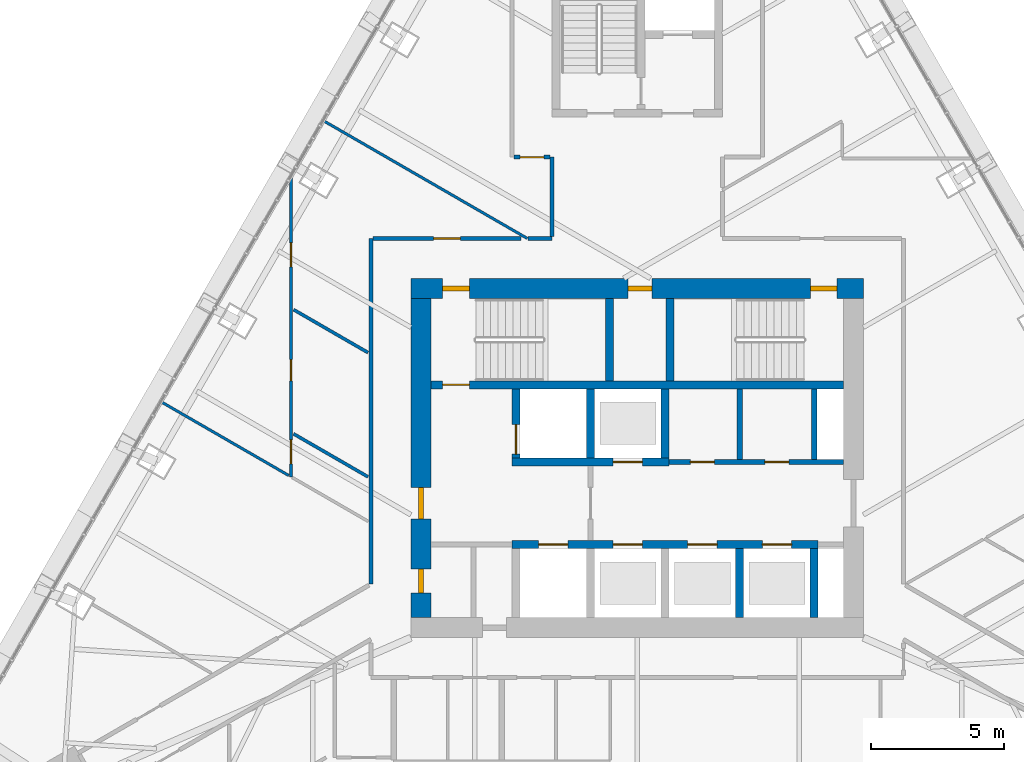
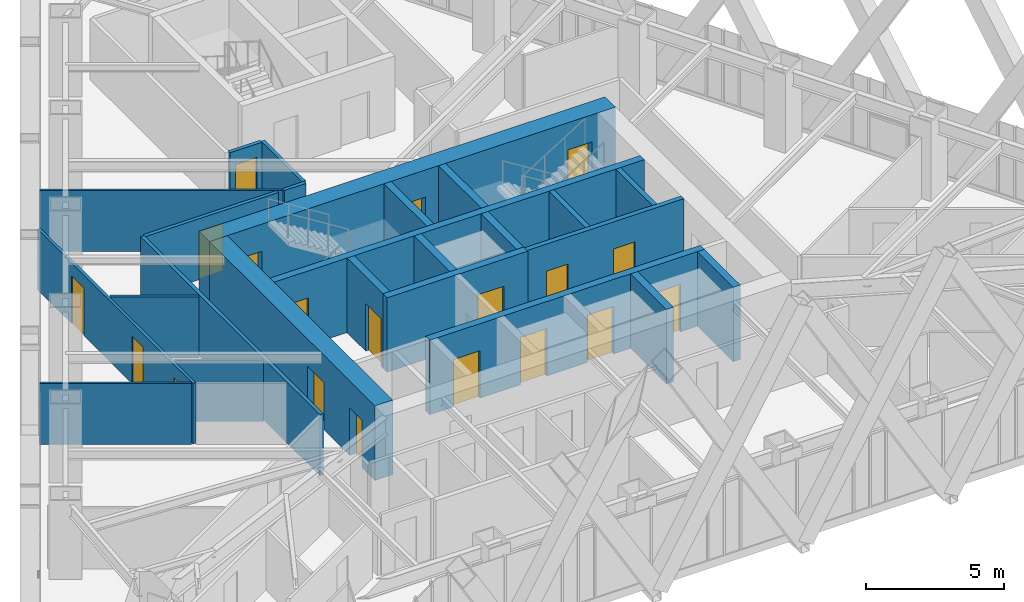
# One storey, part 19 of 23: 25 walls, 19 doors, 19 openings.
"""IFC4 building model written with IfcOpenShell, lengths in metres."""

from ifc_helpers import new_model, si_unit, direction, frame, frame_2d, origin, place, context, subcontext, project, spatial, rectangle, extrude, material, layer, layer_set, type_object, element, fill, save


model = new_model("IFC4")

# Units and contexts
model_context = context("Model", 3, precision=1e-05, world=origin(), true_north=direction((0.0, 1.0)))
body_context = subcontext(model_context, "Body", "Model", "MODEL_VIEW")
ifc_project = project(units=[si_unit("LENGTHUNIT", "METRE"), si_unit("AREAUNIT", "SQUARE_METRE"), si_unit("VOLUMEUNIT", "CUBIC_METRE"), si_unit("PLANEANGLEUNIT", "RADIAN"), si_unit("MASSUNIT", "GRAM", prefix="KILO")], contexts=[model_context])

# Site, building, storey
site_placement = place(None, origin())
site = spatial("IfcSite", under=ifc_project, at=site_placement, CompositionType="ELEMENT")
building_placement = place(site_placement, origin())
building = spatial("IfcBuilding", under=site, at=building_placement, Name="Firuza Gate Tower and Library", CompositionType="ELEMENT")
storey_placement = place(building_placement, frame((0.0, 0.0, 302.10009765625)))
storey = spatial("IfcBuildingStorey", under=building, at=storey_placement, Name="L73", CompositionType="ELEMENT", Elevation=302.10009765625)

# Wall, openings, doors
ifc_material_1 = material(Name="Plasterboard on steel studs", Category="steel")
ifc_layer_1 = layer(ifc_material_1, 0.199951171875)
ifc_layer_set_1 = layer_set([ifc_layer_1], Name="Core partition 200 EI 120")
wall_type_1 = type_object("IfcWallType", Name="Core partition 200 EI 120", PredefinedType="PARTITIONING", material=ifc_layer_set_1)
wall_1_placement = place(storey_placement, frame((76.199951171875, 74.85009765625, 0.0), z_axis=(0.0, 0.0, 1.0), x_axis=(1.0, 0.0, 0.0)))
wall_1 = element("IfcWall", 1, at=wall_1_placement, inside=storey, type_object=wall_type_1, Name="Core partition L73 3", PredefinedType="PARTITIONING", context=body_context, shape_type="SweptSolid", body=[
    extrude(rectangle(XDim=6.550048828125, YDim=0.199951171875, at=frame_2d((3.27490234375, 0.0))), origin(), (0.0, 0.0, 1.0), 3.2998046875),
])
opening_1_placement = place(wall_1_placement, frame((0.800048828125, 0.0, 0.0)))
opening_1 = element("IfcOpeningElement", 2, at=opening_1_placement, cuts=wall_1, Name="Opening L73-K19", PredefinedType="OPENING", context=body_context, shape_type="SweptSolid", body=[
    extrude(rectangle(XDim=0.89990234375, YDim=2.10009765625, at=frame_2d((0.449951171875, 1.050048828125))), frame((0.0, 0.10986328125, 0.0), z_axis=(0.0, -1.0, 0.0), x_axis=(1.0, 0.0, 0.0)), (0.0, 0.0, 1.0), 0.219970703125),
])
opening_2_placement = place(wall_1_placement, frame((3.60009765625, 0.0, 0.0)))
opening_2 = element("IfcOpeningElement", 3, at=opening_2_placement, cuts=wall_1, Name="Opening L73-K20", PredefinedType="OPENING", context=body_context, shape_type="SweptSolid", body=[
    extrude(rectangle(XDim=0.89990234375, YDim=2.10009765625, at=frame_2d((0.449951171875, 1.050048828125))), frame((0.0, 0.10986328125, 0.0), z_axis=(0.0, -1.0, 0.0), x_axis=(1.0, 0.0, 0.0)), (0.0, 0.0, 1.0), 0.219970703125),
])
ifc_material_2 = material(Name="Steel", Category="steel")
door_type_1 = type_object("IfcDoorType", Name="Fire door 900x2100 FD30S", OperationType="NOTDEFINED", PredefinedType="DOOR", material=ifc_material_2)
door_1_placement = place(opening_1_placement, origin())
door_1 = element("IfcDoor", 4, at=door_1_placement, inside=storey, type_object=door_type_1, Name="Door L73-K19", OperationType="SINGLE_SWING_RIGHT", OverallHeight=2.10009765625, OverallWidth=0.89990234375, PredefinedType="DOOR", context=body_context, shape_type="SweptSolid", body=[
    extrude(rectangle(XDim=0.89990234375, YDim=2.10009765625, at=frame_2d((0.449951171875, 1.050048828125))), frame((0.0, 0.02490234375, 0.0), z_axis=(0.0, -1.0, 0.0), x_axis=(1.0, 0.0, 0.0)), (0.0, 0.0, 1.0), 0.050048828125),
])
fill(opening_1, door_1)
door_2_placement = place(opening_2_placement, origin())
door_2 = element("IfcDoor", 5, at=door_2_placement, inside=storey, type_object=door_type_1, Name="Door L73-K20", OperationType="SINGLE_SWING_LEFT", OverallHeight=2.10009765625, OverallWidth=0.89990234375, PredefinedType="DOOR", context=body_context, shape_type="SweptSolid", body=[
    extrude(rectangle(XDim=0.89990234375, YDim=2.10009765625, at=frame_2d((0.449951171875, 1.050048828125))), frame((0.0, 0.02490234375, 0.0), z_axis=(0.0, -1.0, 0.0), x_axis=(1.0, 0.0, 0.0)), (0.0, 0.0, 1.0), 0.050048828125),
])
fill(opening_2, door_2)

# Walls
for number, where, z_axis, x_axis, name in (
    (6, (78.85009765625, 74.949951171875, 0.0), (0.0, 0.0, 1.0), (0.0, 1.0, 0.0), "Core partition L73 6"),
    (7, (81.64990234375, 74.949951171875, 0.0), (0.0, 0.0, 1.0), (0.0, 1.0, 0.0), "Core partition L73 7"),
):
    element("IfcWall", number, at=place(storey_placement, frame(where, z_axis=z_axis, x_axis=x_axis)), inside=storey, type_object=wall_type_1, Name=name, PredefinedType="PARTITIONING", context=body_context, shape_type="SweptSolid", body=[
        extrude(rectangle(XDim=2.650146484375, YDim=0.199951171875, at=frame_2d((1.3251953125, 0.0))), origin(), (0.0, 0.0, 1.0), 3.2998046875),
    ])

# Wall, openings, doors
ifc_material_3 = material(Name="Concrete C60/75", Category="concrete")
ifc_layer_2 = layer(ifc_material_3, 0.300048828125)
ifc_layer_set_2 = layer_set([ifc_layer_2], Name="Core wall 300 C60/75")
wall_type_2 = type_object("IfcWallType", Name="Core wall 300 C60/75", PredefinedType="SHEAR", material=ifc_layer_set_2)
wall_2_placement = place(storey_placement, frame((70.300048828125, 71.75, 0.0), z_axis=(0.0, 0.0, 1.0), x_axis=(1.0, 0.0, 0.0)))
wall_2 = element("IfcWall", 8, at=wall_2_placement, inside=storey, type_object=wall_type_2, Name="Core wall L73 5", PredefinedType="SHEAR", context=body_context, shape_type="SweptSolid", body=[
    extrude(rectangle(XDim=11.5, YDim=0.300048828125, at=frame_2d((5.75, 0.0))), origin(), (0.0, 0.0, 1.0), 3.2998046875),
])
opening_3_placement = place(wall_2_placement, frame((1.0, 0.0, 0.0)))
opening_3 = element("IfcOpeningElement", 9, at=opening_3_placement, cuts=wall_2, Name="Opening LD-FF1-L73", PredefinedType="OPENING", context=body_context, shape_type="SweptSolid", body=[
    extrude(rectangle(XDim=1.10009765625, YDim=2.10009765625, at=frame_2d((0.550048828125, 1.050048828125))), frame((0.0, 0.16015625, 0.0), z_axis=(0.0, -1.0, 0.0), x_axis=(1.0, 0.0, 0.0)), (0.0, 0.0, 1.0), 0.320068359375),
])
opening_4_placement = place(wall_2_placement, frame((3.800048828125, 0.0, 0.0)))
opening_4 = element("IfcOpeningElement", 10, at=opening_4_placement, cuts=wall_2, Name="Opening LD-HR1-L73", PredefinedType="OPENING", context=body_context, shape_type="SweptSolid", body=[
    extrude(rectangle(XDim=1.10009765625, YDim=2.10009765625, at=frame_2d((0.550048828125, 1.050048828125))), frame((0.0, 0.16015625, 0.0), z_axis=(0.0, -1.0, 0.0), x_axis=(1.0, 0.0, 0.0)), (0.0, 0.0, 1.0), 0.320068359375),
])
opening_5_placement = place(wall_2_placement, frame((6.60009765625, 0.0, 0.0)))
opening_5 = element("IfcOpeningElement", 11, at=opening_5_placement, cuts=wall_2, Name="Opening LD-HR2-L73", PredefinedType="OPENING", context=body_context, shape_type="SweptSolid", body=[
    extrude(rectangle(XDim=1.10009765625, YDim=2.10009765625, at=frame_2d((0.550048828125, 1.050048828125))), frame((0.0, 0.16015625, 0.0), z_axis=(0.0, -1.0, 0.0), x_axis=(1.0, 0.0, 0.0)), (0.0, 0.0, 1.0), 0.320068359375),
])
opening_6_placement = place(wall_2_placement, frame((9.39990234375, 0.0, 0.0)))
opening_6 = element("IfcOpeningElement", 12, at=opening_6_placement, cuts=wall_2, Name="Opening LD-HR3-L73", PredefinedType="OPENING", context=body_context, shape_type="SweptSolid", body=[
    extrude(rectangle(XDim=1.10009765625, YDim=2.10009765625, at=frame_2d((0.550048828125, 1.050048828125))), frame((0.0, 0.16015625, 0.0), z_axis=(0.0, -1.0, 0.0), x_axis=(1.0, 0.0, 0.0)), (0.0, 0.0, 1.0), 0.320068359375),
])
ifc_material_4 = material(Name="Stainless steel", Category="steel")
door_type_2 = type_object("IfcDoorType", Name="Lift landing door 1100x2100", OperationType="DOUBLE_DOOR_SLIDING", PredefinedType="DOOR", material=ifc_material_4)
door_3_placement = place(opening_3_placement, origin())
door_3 = element("IfcDoor", 13, at=door_3_placement, inside=storey, type_object=door_type_2, Name="Landing door FF1 L73", OperationType="DOUBLE_DOOR_SLIDING", OverallHeight=2.10009765625, OverallWidth=1.10009765625, PredefinedType="DOOR", context=body_context, shape_type="SweptSolid", body=[
    extrude(rectangle(XDim=1.10009765625, YDim=2.10009765625, at=frame_2d((0.550048828125, 1.050048828125))), frame((0.0, 0.02490234375, 0.0), z_axis=(0.0, -1.0, 0.0), x_axis=(1.0, 0.0, 0.0)), (0.0, 0.0, 1.0), 0.050048828125),
])
fill(opening_3, door_3)
door_4_placement = place(opening_4_placement, origin())
door_4 = element("IfcDoor", 14, at=door_4_placement, inside=storey, type_object=door_type_2, Name="Landing door HR1 L73", OperationType="DOUBLE_DOOR_SLIDING", OverallHeight=2.10009765625, OverallWidth=1.10009765625, PredefinedType="DOOR", context=body_context, shape_type="SweptSolid", body=[
    extrude(rectangle(XDim=1.10009765625, YDim=2.10009765625, at=frame_2d((0.550048828125, 1.050048828125))), frame((0.0, 0.02490234375, 0.0), z_axis=(0.0, -1.0, 0.0), x_axis=(1.0, 0.0, 0.0)), (0.0, 0.0, 1.0), 0.050048828125),
])
fill(opening_4, door_4)
door_5_placement = place(opening_5_placement, origin())
door_5 = element("IfcDoor", 15, at=door_5_placement, inside=storey, type_object=door_type_2, Name="Landing door HR2 L73", OperationType="DOUBLE_DOOR_SLIDING", OverallHeight=2.10009765625, OverallWidth=1.10009765625, PredefinedType="DOOR", context=body_context, shape_type="SweptSolid", body=[
    extrude(rectangle(XDim=1.10009765625, YDim=2.10009765625, at=frame_2d((0.550048828125, 1.050048828125))), frame((0.0, 0.02490234375, 0.0), z_axis=(0.0, -1.0, 0.0), x_axis=(1.0, 0.0, 0.0)), (0.0, 0.0, 1.0), 0.050048828125),
])
fill(opening_5, door_5)
door_6_placement = place(opening_6_placement, origin())
door_6 = element("IfcDoor", 16, at=door_6_placement, inside=storey, type_object=door_type_2, Name="Landing door HR3 L73", OperationType="DOUBLE_DOOR_SLIDING", OverallHeight=2.10009765625, OverallWidth=1.10009765625, PredefinedType="DOOR", context=body_context, shape_type="SweptSolid", body=[
    extrude(rectangle(XDim=1.10009765625, YDim=2.10009765625, at=frame_2d((0.550048828125, 1.050048828125))), frame((0.0, 0.02490234375, 0.0), z_axis=(0.0, -1.0, 0.0), x_axis=(1.0, 0.0, 0.0)), (0.0, 0.0, 1.0), 0.050048828125),
])
fill(opening_6, door_6)

# Wall, opening, door
wall_3_placement = place(storey_placement, frame((70.300048828125, 74.85009765625, 0.0), z_axis=(0.0, 0.0, 1.0), x_axis=(1.0, 0.0, 0.0)))
wall_3 = element("IfcWall", 17, at=wall_3_placement, inside=storey, type_object=wall_type_2, Name="Core wall L73 6", PredefinedType="SHEAR", context=body_context, shape_type="SweptSolid", body=[
    extrude(rectangle(XDim=5.89990234375, YDim=0.300048828125, at=frame_2d((2.949951171875, 0.0))), origin(), (0.0, 0.0, 1.0), 3.2998046875),
])
opening_7_placement = place(wall_3_placement, frame((3.800048828125, 0.0, 0.0)))
opening_7 = element("IfcOpeningElement", 18, at=opening_7_placement, cuts=wall_3, Name="Opening LD-HR4-L73", PredefinedType="OPENING", context=body_context, shape_type="SweptSolid", body=[
    extrude(rectangle(XDim=1.10009765625, YDim=2.10009765625, at=frame_2d((0.550048828125, 1.050048828125))), frame((0.0, 0.16015625, 0.0), z_axis=(0.0, -1.0, 0.0), x_axis=(1.0, 0.0, 0.0)), (0.0, 0.0, 1.0), 0.320068359375),
])
door_7_placement = place(opening_7_placement, origin())
door_7 = element("IfcDoor", 19, at=door_7_placement, inside=storey, type_object=door_type_2, Name="Landing door HR4 L73", OperationType="DOUBLE_DOOR_SLIDING", OverallHeight=2.10009765625, OverallWidth=1.10009765625, PredefinedType="DOOR", context=body_context, shape_type="SweptSolid", body=[
    extrude(rectangle(XDim=1.10009765625, YDim=2.10009765625, at=frame_2d((0.550048828125, 1.050048828125))), frame((0.0, 0.02490234375, 0.0), z_axis=(0.0, -1.0, 0.0), x_axis=(1.0, 0.0, 0.0)), (0.0, 0.0, 1.0), 0.050048828125),
])
fill(opening_7, door_7)

wall_4_placement = place(storey_placement, frame((70.449951171875, 75.0, 0.0), z_axis=(0.0, 0.0, 1.0), x_axis=(0.0, 1.0, 0.0)))
wall_4 = element("IfcWall", 20, at=wall_4_placement, inside=storey, type_object=wall_type_2, Name="Core wall L73 8", PredefinedType="SHEAR", context=body_context, shape_type="SweptSolid", body=[
    extrude(rectangle(XDim=2.60009765625, YDim=0.300048828125, at=frame_2d((1.300048828125, 0.0))), origin(), (0.0, 0.0, 1.0), 3.2998046875),
])
opening_8_placement = place(wall_4_placement, frame((0.14990234375, 0.0, 0.0)))
opening_8 = element("IfcOpeningElement", 21, at=opening_8_placement, cuts=wall_4, Name="Opening LD-FF2-L73", PredefinedType="OPENING", context=body_context, shape_type="SweptSolid", body=[
    extrude(rectangle(XDim=1.10009765625, YDim=2.10009765625, at=frame_2d((0.550048828125, 1.050048828125))), frame((0.0, 0.16015625, 0.0), z_axis=(0.0, -1.0, 0.0), x_axis=(1.0, 0.0, 0.0)), (0.0, 0.0, 1.0), 0.320068359375),
])
door_8_placement = place(opening_8_placement, origin())
door_8 = element("IfcDoor", 22, at=door_8_placement, inside=storey, type_object=door_type_2, Name="Landing door FF2 L73", OperationType="DOUBLE_DOOR_SLIDING", OverallHeight=2.10009765625, OverallWidth=1.10009765625, PredefinedType="DOOR", context=body_context, shape_type="SweptSolid", body=[
    extrude(rectangle(XDim=1.10009765625, YDim=2.10009765625, at=frame_2d((0.550048828125, 1.050048828125))), frame((0.0, 0.02490234375, 0.0), z_axis=(0.0, -1.0, 0.0), x_axis=(1.0, 0.0, 0.0)), (0.0, 0.0, 1.0), 0.050048828125),
])
fill(opening_8, door_8)

# Walls
for number, where, z_axis, x_axis, name in (
    (23, (73.25, 75.0, 0.0), (0.0, 0.0, 1.0), (0.0, 1.0, 0.0), "Core wall L73 10"),
    (24, (76.050048828125, 75.0, 0.0), (0.0, 0.0, 1.0), (0.0, 1.0, 0.0), "Core wall L73 12"),
    (25, (78.85009765625, 69.0, 0.0), (0.0, 0.0, 1.0), (0.0, 1.0, 0.0), "Core wall L73 13"),
    (26, (81.64990234375, 69.0, 0.0), (0.0, 0.0, 1.0), (0.0, 1.0, 0.0), "Core wall L73 14"),
):
    element("IfcWall", number, at=place(storey_placement, frame(where, z_axis=z_axis, x_axis=x_axis)), inside=storey, type_object=wall_type_2, Name=name, PredefinedType="SHEAR", context=body_context, shape_type="SweptSolid", body=[
        extrude(rectangle(XDim=2.60009765625, YDim=0.300048828125, at=frame_2d((1.300048828125, 0.0))), origin(), (0.0, 0.0, 1.0), 3.2998046875),
    ])

# Wall, opening, door
wall_5_placement = place(storey_placement, frame((67.25, 77.75, 0.0), z_axis=(0.0, 0.0, 1.0), x_axis=(1.0, 0.0, 0.0)))
wall_5 = element("IfcWall", 27, at=wall_5_placement, inside=storey, type_object=wall_type_2, Name="Core wall L73 15", PredefinedType="SHEAR", context=body_context, shape_type="SweptSolid", body=[
    extrude(rectangle(XDim=15.5, YDim=0.300048828125, at=frame_2d((7.75, 0.0))), origin(), (0.0, 0.0, 1.0), 3.2998046875),
])
opening_9_placement = place(wall_5_placement, frame((0.445068359375, 0.0, 0.0)))
opening_9 = element("IfcOpeningElement", 28, at=opening_9_placement, cuts=wall_5, Name="Opening L73-K08", PredefinedType="OPENING", context=body_context, shape_type="SweptSolid", body=[
    extrude(rectangle(XDim=1.0, YDim=2.10009765625, at=frame_2d((0.5, 1.050048828125))), frame((0.0, 0.16015625, 0.0), z_axis=(0.0, -1.0, 0.0), x_axis=(1.0, 0.0, 0.0)), (0.0, 0.0, 1.0), 0.320068359375),
])
ifc_material_5 = material(Name="Steel", Category="steel")
door_type_3 = type_object("IfcDoorType", Name="Fire door 1000x2100 FD90", OperationType="NOTDEFINED", PredefinedType="DOOR", material=ifc_material_5)
door_9_placement = place(opening_9_placement, origin())
door_9 = element("IfcDoor", 29, at=door_9_placement, inside=storey, type_object=door_type_3, Name="Door L73-K08", OperationType="SINGLE_SWING_LEFT", OverallHeight=2.10009765625, OverallWidth=1.0, PredefinedType="DOOR", context=body_context, shape_type="SweptSolid", body=[
    extrude(rectangle(XDim=1.0, YDim=2.10009765625, at=frame_2d((0.5, 1.050048828125))), frame((0.0, 0.02490234375, 0.0), z_axis=(0.0, -1.0, 0.0), x_axis=(1.0, 0.0, 0.0)), (0.0, 0.0, 1.0), 0.050048828125),
])
fill(opening_9, door_9)

# Walls
for number, where, z_axis, x_axis, name in (
    (30, (73.9599609375, 77.89990234375, 0.0), (0.0, 0.0, 1.0), (0.0, 1.0, 0.0), "Core wall L73 16"),
    (31, (76.239990234375, 77.89990234375, 0.0), (0.0, 0.0, 1.0), (0.0, 1.0, 0.0), "Core wall L73 17"),
):
    element("IfcWall", number, at=place(storey_placement, frame(where, z_axis=z_axis, x_axis=x_axis)), inside=storey, type_object=wall_type_2, Name=name, PredefinedType="SHEAR", context=body_context, shape_type="SweptSolid", body=[
        extrude(rectangle(XDim=3.10009765625, YDim=0.300048828125, at=frame_2d((1.550048828125, 0.0))), origin(), (0.0, 0.0, 1.0), 3.2998046875),
    ])

# Wall, openings, doors
ifc_material_6 = material(Name="Concrete C60/75", Category="concrete")
ifc_layer_3 = layer(ifc_material_6, 0.75)
ifc_layer_set_3 = layer_set([ifc_layer_3], Name="Core wall 750 C60/75")
wall_type_3 = type_object("IfcWallType", Name="Core wall 750 C60/75", PredefinedType="SHEAR", material=ifc_layer_set_3)
wall_6_placement = place(storey_placement, frame((66.5, 81.375, 0.0), z_axis=(0.0, 0.0, 1.0), x_axis=(1.0, 0.0, 0.0)))
wall_6 = element("IfcWall", 32, at=wall_6_placement, inside=storey, type_object=wall_type_3, Name="Core wall L73 2", PredefinedType="SHEAR", context=body_context, shape_type="SweptSolid", body=[
    extrude(rectangle(XDim=17.0, YDim=0.75, at=frame_2d((8.5, 0.0))), origin(), (0.0, 0.0, 1.0), 3.2998046875),
])
opening_10_placement = place(wall_6_placement, frame((1.195068359375, 0.0, 0.0)))
opening_10 = element("IfcOpeningElement", 33, at=opening_10_placement, cuts=wall_6, Name="Opening L73-K09", PredefinedType="OPENING", context=body_context, shape_type="SweptSolid", body=[
    extrude(rectangle(XDim=1.0, YDim=2.10009765625, at=frame_2d((0.5, 1.050048828125))), frame((0.0, 0.385009765625, 0.0), z_axis=(0.0, -1.0, 0.0), x_axis=(1.0, 0.0, 0.0)), (0.0, 0.0, 1.0), 0.77001953125),
])
opening_11_placement = place(wall_6_placement, frame((15.0048828125, 0.0, 0.0)))
opening_11 = element("IfcOpeningElement", 34, at=opening_11_placement, cuts=wall_6, Name="Opening L73-K10", PredefinedType="OPENING", context=body_context, shape_type="SweptSolid", body=[
    extrude(rectangle(XDim=1.0, YDim=2.10009765625, at=frame_2d((0.5, 1.050048828125))), frame((0.0, 0.385009765625, 0.0), z_axis=(0.0, -1.0, 0.0), x_axis=(1.0, 0.0, 0.0)), (0.0, 0.0, 1.0), 0.77001953125),
])
opening_12_placement = place(wall_6_placement, frame((8.14990234375, 0.0, 0.0)))
opening_12 = element("IfcOpeningElement", 35, at=opening_12_placement, cuts=wall_6, Name="Opening L73-K21", PredefinedType="OPENING", context=body_context, shape_type="SweptSolid", body=[
    extrude(rectangle(XDim=0.89990234375, YDim=2.10009765625, at=frame_2d((0.449951171875, 1.050048828125))), frame((0.0, 0.385009765625, 0.0), z_axis=(0.0, -1.0, 0.0), x_axis=(1.0, 0.0, 0.0)), (0.0, 0.0, 1.0), 0.77001953125),
])
door_10_placement = place(opening_10_placement, origin())
door_10 = element("IfcDoor", 36, at=door_10_placement, inside=storey, type_object=door_type_3, Name="Door L73-K09", OperationType="SINGLE_SWING_RIGHT", OverallHeight=2.10009765625, OverallWidth=1.0, PredefinedType="DOOR", context=body_context, shape_type="SweptSolid", body=[
    extrude(rectangle(XDim=1.0, YDim=2.10009765625, at=frame_2d((0.5, 1.050048828125))), frame((0.0, 0.094970703125, 0.0), z_axis=(0.0, -1.0, 0.0), x_axis=(1.0, 0.0, 0.0)), (0.0, 0.0, 1.0), 0.18994140625),
])
fill(opening_10, door_10)
door_11_placement = place(opening_11_placement, origin())
door_11 = element("IfcDoor", 37, at=door_11_placement, inside=storey, type_object=door_type_3, Name="Door L73-K10", OperationType="SINGLE_SWING_LEFT", OverallHeight=2.10009765625, OverallWidth=1.0, PredefinedType="DOOR", context=body_context, shape_type="SweptSolid", body=[
    extrude(rectangle(XDim=1.0, YDim=2.10009765625, at=frame_2d((0.5, 1.050048828125))), frame((0.0, 0.094970703125, 0.0), z_axis=(0.0, -1.0, 0.0), x_axis=(1.0, 0.0, 0.0)), (0.0, 0.0, 1.0), 0.18994140625),
])
fill(opening_11, door_11)
door_12_placement = place(opening_12_placement, origin())
door_12 = element("IfcDoor", 38, at=door_12_placement, inside=storey, type_object=door_type_1, Name="Door L73-K21", OperationType="SINGLE_SWING_RIGHT", OverallHeight=2.10009765625, OverallWidth=0.89990234375, PredefinedType="DOOR", context=body_context, shape_type="SweptSolid", body=[
    extrude(rectangle(XDim=0.89990234375, YDim=2.10009765625, at=frame_2d((0.449951171875, 1.050048828125))), frame((0.0, 0.094970703125, 0.0), z_axis=(0.0, -1.0, 0.0), x_axis=(1.0, 0.0, 0.0)), (0.0, 0.0, 1.0), 0.18994140625),
])
fill(opening_12, door_12)

wall_7_placement = place(storey_placement, frame((66.875, 69.0, 0.0), z_axis=(0.0, 0.0, 1.0), x_axis=(0.0, 1.0, 0.0)))
wall_7 = element("IfcWall", 39, at=wall_7_placement, inside=storey, type_object=wall_type_3, Name="Core wall L73 3", PredefinedType="SHEAR", context=body_context, shape_type="SweptSolid", body=[
    extrude(rectangle(XDim=12.0, YDim=0.75, at=frame_2d((6.0, 0.0))), origin(), (0.0, 0.0, 1.0), 3.2998046875),
])
opening_13_placement = place(wall_7_placement, frame((3.699951171875, 0.0, 0.0)))
opening_13 = element("IfcOpeningElement", 40, at=opening_13_placement, cuts=wall_7, Name="Opening L73-K15", PredefinedType="OPENING", context=body_context, shape_type="SweptSolid", body=[
    extrude(rectangle(XDim=1.199951171875, YDim=2.10009765625, at=frame_2d((0.60009765625, 1.050048828125))), frame((0.0, 0.385009765625, 0.0), z_axis=(0.0, -1.0, 0.0), x_axis=(1.0, 0.0, 0.0)), (0.0, 0.0, 1.0), 0.77001953125),
])
opening_14_placement = place(wall_7_placement, frame((0.925048828125, 0.0, 0.0)))
opening_14 = element("IfcOpeningElement", 41, at=opening_14_placement, cuts=wall_7, Name="Opening L73-K17", PredefinedType="OPENING", context=body_context, shape_type="SweptSolid", body=[
    extrude(rectangle(XDim=0.89990234375, YDim=2.10009765625, at=frame_2d((0.449951171875, 1.050048828125))), frame((0.0, 0.385009765625, 0.0), z_axis=(0.0, -1.0, 0.0), x_axis=(1.0, 0.0, 0.0)), (0.0, 0.0, 1.0), 0.77001953125),
])
ifc_material_7 = material(Name="Steel", Category="steel")
door_type_4 = type_object("IfcDoorType", Name="Fire door 1200x2100 FD90S", OperationType="NOTDEFINED", PredefinedType="DOOR", material=ifc_material_7)
door_13_placement = place(opening_13_placement, origin())
door_13 = element("IfcDoor", 42, at=door_13_placement, inside=storey, type_object=door_type_4, Name="Door L73-K15", OperationType="SINGLE_SWING_RIGHT", OverallHeight=2.10009765625, OverallWidth=1.199951171875, PredefinedType="DOOR", context=body_context, shape_type="SweptSolid", body=[
    extrude(rectangle(XDim=1.199951171875, YDim=2.10009765625, at=frame_2d((0.60009765625, 1.050048828125))), frame((0.0, 0.094970703125, 0.0), z_axis=(0.0, -1.0, 0.0), x_axis=(1.0, 0.0, 0.0)), (0.0, 0.0, 1.0), 0.18994140625),
])
fill(opening_13, door_13)
door_14_placement = place(opening_14_placement, origin())
door_14 = element("IfcDoor", 43, at=door_14_placement, inside=storey, type_object=door_type_1, Name="Door L73-K17", OperationType="SINGLE_SWING_RIGHT", OverallHeight=2.10009765625, OverallWidth=0.89990234375, PredefinedType="DOOR", context=body_context, shape_type="SweptSolid", body=[
    extrude(rectangle(XDim=0.89990234375, YDim=2.10009765625, at=frame_2d((0.449951171875, 1.050048828125))), frame((0.0, 0.094970703125, 0.0), z_axis=(0.0, -1.0, 0.0), x_axis=(1.0, 0.0, 0.0)), (0.0, 0.0, 1.0), 0.18994140625),
])
fill(opening_14, door_14)

# Wall, opening, door
ifc_material_8 = material(Name="Gypsum board partition")
ifc_layer_4 = layer(ifc_material_8, 0.14990234375)
ifc_layer_set_4 = layer_set([ifc_layer_4], Name="Corridor wall 150 double board on steel studs")
wall_type_4 = type_object("IfcWallType", Name="Corridor wall 150 double board on steel studs", PredefinedType="PARTITIONING", material=ifc_layer_set_4)
wall_8_placement = place(storey_placement, frame((65.075439453125, 83.25, 0.0), z_axis=(0.0, 0.0, 1.0), x_axis=(1.0, 0.0, 0.0)))
wall_8 = element("IfcWall", 44, at=wall_8_placement, inside=storey, type_object=wall_type_4, Name="f:L73:w005", PredefinedType="PARTITIONING", context=body_context, shape_type="SweptSolid", body=[
    extrude(rectangle(XDim=5.5654296875, YDim=0.14990234375, at=frame_2d((2.78271484375, 0.0))), origin(), (0.0, 0.0, 1.0), 2.699951171875),
])
opening_15_placement = place(wall_8_placement, frame((2.28271484375, 0.0, 0.0)))
opening_15 = element("IfcOpeningElement", 45, at=opening_15_placement, cuts=wall_8, Name="Opening L73-08", PredefinedType="OPENING", context=body_context, shape_type="SweptSolid", body=[
    extrude(rectangle(XDim=1.0, YDim=2.10009765625, at=frame_2d((0.5, 1.050048828125))), frame((0.0, 0.0849609375, 0.0), z_axis=(0.0, -1.0, 0.0), x_axis=(1.0, 0.0, 0.0)), (0.0, 0.0, 1.0), 0.169921875),
])
ifc_material_9 = material(Name="Steel door and timber leaf", Category="steel")
door_type_5 = type_object("IfcDoorType", Name="Fire door 1000 x 2100 steel frame, timber leaf", OperationType="NOTDEFINED", PredefinedType="DOOR", material=ifc_material_9)
door_15_placement = place(opening_15_placement, origin())
door_15 = element("IfcDoor", 46, at=door_15_placement, inside=storey, type_object=door_type_5, Name="f:L73:d008", OperationType="SINGLE_SWING_RIGHT", OverallHeight=2.10009765625, OverallWidth=1.0, PredefinedType="DOOR", context=body_context, shape_type="SweptSolid", body=[
    extrude(rectangle(XDim=1.0, YDim=2.10009765625, at=frame_2d((0.5, 1.050048828125))), frame((0.0, 0.02490234375, 0.0), z_axis=(0.0, -1.0, 0.0), x_axis=(1.0, 0.0, 0.0)), (0.0, 0.0, 1.0), 0.050048828125),
])
fill(opening_15, door_15)

wall_9_placement = place(storey_placement, frame((70.376953125, 86.300048828125, 0.0), z_axis=(0.0, 0.0, 1.0), x_axis=(1.0, 0.0, 0.0)))
wall_9 = element("IfcWall", 47, at=wall_9_placement, inside=storey, type_object=wall_type_4, Name="f:L73:w008", PredefinedType="PARTITIONING", context=body_context, shape_type="SweptSolid", body=[
    extrude(rectangle(XDim=1.347900390625, YDim=0.14990234375, at=frame_2d((0.673828125, 0.0))), origin(), (0.0, 0.0, 1.0), 2.699951171875),
])
opening_16_placement = place(wall_9_placement, frame((0.223876953125, 0.0, 0.0)))
opening_16 = element("IfcOpeningElement", 48, at=opening_16_placement, cuts=wall_9, Name="Opening L73-10", PredefinedType="OPENING", context=body_context, shape_type="SweptSolid", body=[
    extrude(rectangle(XDim=0.89990234375, YDim=2.10009765625, at=frame_2d((0.449951171875, 1.050048828125))), frame((0.0, 0.0849609375, 0.0), z_axis=(0.0, -1.0, 0.0), x_axis=(1.0, 0.0, 0.0)), (0.0, 0.0, 1.0), 0.169921875),
])
ifc_material_10 = material(Name="Steel door and timber leaf", Category="steel")
door_type_6 = type_object("IfcDoorType", Name="Fire door 900 x 2100 steel frame, timber leaf", OperationType="NOTDEFINED", PredefinedType="DOOR", material=ifc_material_10)
door_16_placement = place(opening_16_placement, origin())
door_16 = element("IfcDoor", 49, at=door_16_placement, inside=storey, type_object=door_type_6, Name="f:L73:d010", OperationType="SINGLE_SWING_LEFT", OverallHeight=2.10009765625, OverallWidth=0.89990234375, PredefinedType="DOOR", context=body_context, shape_type="SweptSolid", body=[
    extrude(rectangle(XDim=0.89990234375, YDim=2.10009765625, at=frame_2d((0.449951171875, 1.050048828125))), frame((0.0, 0.02490234375, 0.0), z_axis=(0.0, -1.0, 0.0), x_axis=(1.0, 0.0, 0.0)), (0.0, 0.0, 1.0), 0.050048828125),
])
fill(opening_16, door_16)

# Walls
wall_10_placement = place(storey_placement, frame((71.800048828125, 83.324951171875, 0.0), z_axis=(0.0, 0.0, 1.0), x_axis=(0.0, 1.0, 0.0)))
element("IfcWall", 50, at=wall_10_placement, inside=storey, type_object=wall_type_4, Name="f:L73:w041", PredefinedType="PARTITIONING", context=body_context, shape_type="SweptSolid", body=[
    extrude(rectangle(XDim=2.97509765625, YDim=0.14990234375, at=frame_2d((1.487548828125, 0.0))), origin(), (0.0, 0.0, 1.0), 2.699951171875),
])
wall_11_placement = place(storey_placement, frame((65.0, 70.265625, 0.0), z_axis=(0.0, 0.0, 1.0), x_axis=(0.0, 1.0, 0.0)))
element("IfcWall", 51, at=wall_11_placement, inside=storey, type_object=wall_type_4, Name="f:L73:w047", PredefinedType="PARTITIONING", context=body_context, shape_type="SweptSolid", body=[
    extrude(rectangle(XDim=12.98388671875, YDim=0.14990234375, at=frame_2d((6.491943359375, 0.0))), origin(), (0.0, 0.0, 1.0), 2.699951171875),
])
wall_12_placement = place(storey_placement, frame((70.8955078125, 83.25, 0.0), z_axis=(0.0, 0.0, 1.0), x_axis=(1.0, 0.0, 0.0)))
element("IfcWall", 52, at=wall_12_placement, inside=storey, type_object=wall_type_4, Name="f:L73:w068", PredefinedType="PARTITIONING", context=body_context, shape_type="SweptSolid", body=[
    extrude(rectangle(XDim=0.904541015625, YDim=0.14990234375, at=frame_2d((0.4521484375, 0.0))), origin(), (0.0, 0.0, 1.0), 2.699951171875),
])
ifc_material_11 = material(Name="Gypsum board partition")
ifc_layer_5 = layer(ifc_material_11, 0.10009765625)
ifc_layer_set_5 = layer_set([ifc_layer_5], Name="Partition 100 gypsum board on steel studs")
wall_type_5 = type_object("IfcWallType", Name="Partition 100 gypsum board on steel studs", PredefinedType="PARTITIONING", material=ifc_layer_set_5)
wall_13_placement = place(storey_placement, frame((70.87060546875, 83.25, 0.0), z_axis=(0.0, 0.0, 1.0), x_axis=(-0.866018527528, 0.500011909837, 0.0)))
element("IfcWall", 53, at=wall_13_placement, inside=storey, type_object=wall_type_5, Name="f:L73:w055", PredefinedType="PARTITIONING", context=body_context, shape_type="SweptSolid", body=[
    extrude(rectangle(XDim=8.834228515625, YDim=0.10009765625, at=frame_2d((4.4169921875, 0.0))), origin(), (0.0, 0.0, 1.0), 2.68798828125),
])
wall_14_placement = place(storey_placement, frame((61.9150390625, 74.342529296875, 0.0), z_axis=(0.0, 0.0, 1.0), x_axis=(-0.866023907196, 0.500002592159, 0.0)))
element("IfcWall", 54, at=wall_14_placement, inside=storey, type_object=wall_type_5, Name="f:L73:w071", PredefinedType="PARTITIONING", context=body_context, shape_type="SweptSolid", body=[
    extrude(rectangle(XDim=5.5322265625, YDim=0.10009765625, at=frame_2d((2.76611328125, 0.0))), origin(), (0.0, 0.0, 1.0), 2.68798828125),
])

# Wall, openings, doors
ifc_material_12 = material(Name="Gypsum board partition")
ifc_layer_6 = layer(ifc_material_12, 0.1201171875)
ifc_layer_set_6 = layer_set([ifc_layer_6], Name="Wet-area partition 120 moisture-resistant board")
wall_type_6 = type_object("IfcWallType", Name="Wet-area partition 120 moisture-resistant board", PredefinedType="PARTITIONING", material=ifc_layer_set_6)
wall_15_placement = place(storey_placement, frame((62.0, 85.553955078125, 0.0), z_axis=(0.0, 0.0, 1.0), x_axis=(0.0, -1.0, 0.0)))
wall_15 = element("IfcWall", 55, at=wall_15_placement, inside=storey, type_object=wall_type_6, Name="f:L73:w049", PredefinedType="PARTITIONING", context=body_context, shape_type="SweptSolid", body=[
    extrude(rectangle(XDim=11.2607421875, YDim=0.1201171875, at=frame_2d((5.63037109375, 0.0))), origin(), (0.0, 0.0, 1.0), 2.68798828125),
])
opening_17_placement = place(wall_15_placement, frame((2.474365234375, 0.0, 0.0)))
opening_17 = element("IfcOpeningElement", 56, at=opening_17_placement, cuts=wall_15, Name="Opening L73-18", PredefinedType="OPENING", context=body_context, shape_type="SweptSolid", body=[
    extrude(rectangle(XDim=0.89990234375, YDim=2.10009765625, at=frame_2d((0.449951171875, 1.050048828125))), frame((0.0, 0.070068359375, 0.0), z_axis=(0.0, -1.0, 0.0), x_axis=(1.0, 0.0, 0.0)), (0.0, 0.0, 1.0), 0.14013671875),
])
opening_18_placement = place(wall_15_placement, frame((6.858642578125, 0.0, 0.0)))
opening_18 = element("IfcOpeningElement", 57, at=opening_18_placement, cuts=wall_15, Name="Opening L73-19", PredefinedType="OPENING", context=body_context, shape_type="SweptSolid", body=[
    extrude(rectangle(XDim=0.800048828125, YDim=2.10009765625, at=frame_2d((0.39990234375, 1.050048828125))), frame((0.0, 0.070068359375, 0.0), z_axis=(0.0, -1.0, 0.0), x_axis=(1.0, 0.0, 0.0)), (0.0, 0.0, 1.0), 0.14013671875),
])
opening_19_placement = place(wall_15_placement, frame((9.876220703125, 0.0, 0.0)))
opening_19 = element("IfcOpeningElement", 58, at=opening_19_placement, cuts=wall_15, Name="Opening L73-20", PredefinedType="OPENING", context=body_context, shape_type="SweptSolid", body=[
    extrude(rectangle(XDim=0.89990234375, YDim=2.10009765625, at=frame_2d((0.449951171875, 1.050048828125))), frame((0.0, 0.070068359375, 0.0), z_axis=(0.0, -1.0, 0.0), x_axis=(1.0, 0.0, 0.0)), (0.0, 0.0, 1.0), 0.14013671875),
])
ifc_material_13 = material(Name="Timber door", Category="wood")
door_type_7 = type_object("IfcDoorType", Name="Door 800 x 2100 timber leaf", OperationType="NOTDEFINED", PredefinedType="DOOR", material=ifc_material_13)
door_17_placement = place(opening_18_placement, origin())
door_17 = element("IfcDoor", 59, at=door_17_placement, inside=storey, type_object=door_type_7, Name="f:L73:d019", OperationType="SINGLE_SWING_RIGHT", OverallHeight=2.10009765625, OverallWidth=0.800048828125, PredefinedType="DOOR", context=body_context, shape_type="SweptSolid", body=[
    extrude(rectangle(XDim=0.800048828125, YDim=2.10009765625, at=frame_2d((0.39990234375, 1.050048828125))), frame((0.0, 0.02490234375, 0.0), z_axis=(0.0, -1.0, 0.0), x_axis=(1.0, 0.0, 0.0)), (0.0, 0.0, 1.0), 0.050048828125),
])
fill(opening_18, door_17)
ifc_material_14 = material(Name="Timber door", Category="wood")
door_type_8 = type_object("IfcDoorType", Name="Door 900 x 2100 timber leaf", OperationType="NOTDEFINED", PredefinedType="DOOR", material=ifc_material_14)
door_18_placement = place(opening_17_placement, origin())
door_18 = element("IfcDoor", 60, at=door_18_placement, inside=storey, type_object=door_type_8, Name="f:L73:d018", OperationType="SINGLE_SWING_RIGHT", OverallHeight=2.10009765625, OverallWidth=0.89990234375, PredefinedType="DOOR", context=body_context, shape_type="SweptSolid", body=[
    extrude(rectangle(XDim=0.89990234375, YDim=2.10009765625, at=frame_2d((0.449951171875, 1.050048828125))), frame((0.0, 0.02490234375, 0.0), z_axis=(0.0, -1.0, 0.0), x_axis=(1.0, 0.0, 0.0)), (0.0, 0.0, 1.0), 0.050048828125),
])
fill(opening_17, door_18)
door_19_placement = place(opening_19_placement, origin())
door_19 = element("IfcDoor", 61, at=door_19_placement, inside=storey, type_object=door_type_8, Name="f:L73:d020", OperationType="SINGLE_SWING_LEFT", OverallHeight=2.10009765625, OverallWidth=0.89990234375, PredefinedType="DOOR", context=body_context, shape_type="SweptSolid", body=[
    extrude(rectangle(XDim=0.89990234375, YDim=2.10009765625, at=frame_2d((0.449951171875, 1.050048828125))), frame((0.0, 0.02490234375, 0.0), z_axis=(0.0, -1.0, 0.0), x_axis=(1.0, 0.0, 0.0)), (0.0, 0.0, 1.0), 0.050048828125),
])
fill(opening_19, door_19)

# Walls
for number, where, z_axis, x_axis, name in (
    (62, (64.89013671875, 78.95947265625, 0.0), (0.0, 0.0, 1.0), (-0.866033195618, 0.499986503906, 0.0), "f:L73:w061"),
    (63, (64.890380859375, 74.293212890625, 0.0), (0.0, 0.0, 1.0), (-0.866033195618, 0.499986503906, 0.0), "f:L73:w063"),
):
    element("IfcWall", number, at=place(storey_placement, frame(where, z_axis=z_axis, x_axis=x_axis)), inside=storey, type_object=wall_type_6, Name=name, PredefinedType="PARTITIONING", context=body_context, shape_type="SweptSolid", body=[
        extrude(rectangle(XDim=3.22802734375, YDim=0.1201171875, at=frame_2d((1.614013671875, 0.0))), origin(), (0.0, 0.0, 1.0), 2.699951171875),
    ])

save(model, "model.ifc")
